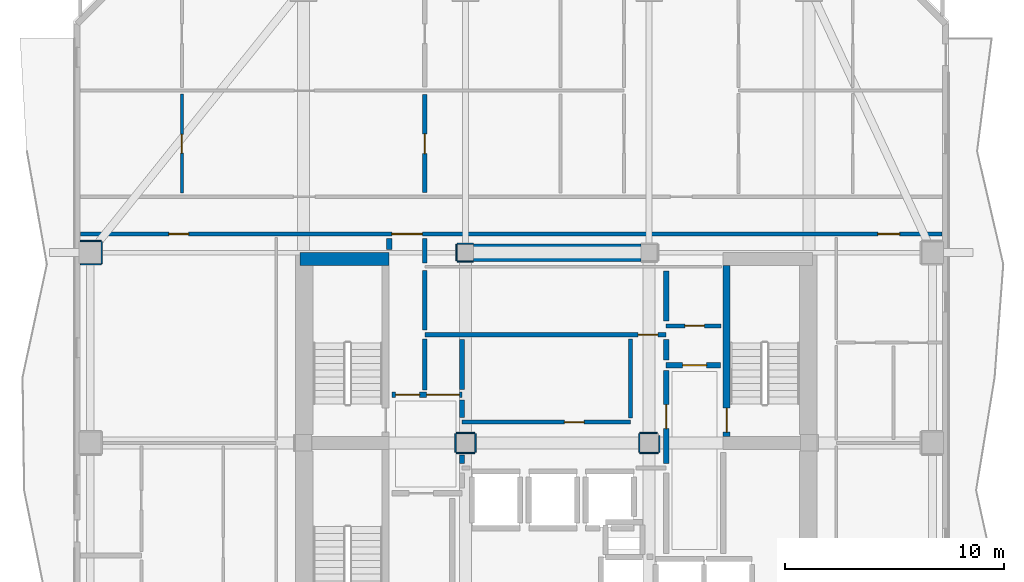
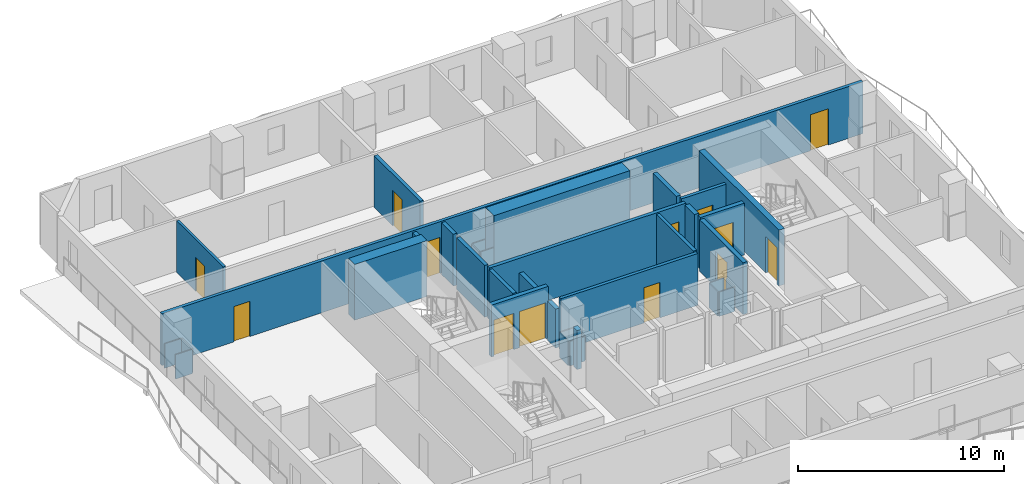
# One storey, part 4 of 11: 36 walls, 13 doors, 13 openings.
"""IFC4 building model written with IfcOpenShell, lengths in metres."""

from ifc_helpers import new_model, si_unit, direction, frame, frame_2d, origin, place, context, subcontext, project, spatial, rectangle, extrude, material, layer, layer_set, type_object, element, fill, save


model = new_model("IFC4")

# Units and contexts
model_context = context("Model", 3, precision=1e-05, world=origin(), true_north=direction((0.0, 1.0)))
body_context = subcontext(model_context, "Body", "Model", "MODEL_VIEW")
ifc_project = project(units=[si_unit("LENGTHUNIT", "METRE"), si_unit("AREAUNIT", "SQUARE_METRE"), si_unit("VOLUMEUNIT", "CUBIC_METRE"), si_unit("PLANEANGLEUNIT", "RADIAN"), si_unit("MASSUNIT", "GRAM", prefix="KILO")], contexts=[model_context])

# Site, building, storey
site_placement = place(None, origin())
site = spatial("IfcSite", under=ifc_project, at=site_placement, CompositionType="ELEMENT")
building_placement = place(site_placement, origin())
building = spatial("IfcBuilding", under=site, at=building_placement, Name="Solanera Arch Residences", CompositionType="ELEMENT")
storey_placement = place(building_placement, frame((0.0, 0.0, 180.199951171875)))
storey = spatial("IfcBuildingStorey", under=building, at=storey_placement, Name="L52", CompositionType="ELEMENT", Elevation=180.199951171875)

# Walls
ifc_material_1 = material(Name="Fire-Rated Gypsum Stud Partition", Category="gypsum")
ifc_layer_1 = layer(ifc_material_1, 0.06005859375)
ifc_layer_set_1 = layer_set([ifc_layer_1], Name="Fire-Rated Gypsum Stud Partition")
wall_type_1 = type_object("IfcWallType", Name="Column Acoustic Furring Wall 60", PredefinedType="PARTITIONING", material=ifc_layer_set_1)
for number, where, z_axis, x_axis, name in (
    (1, (20.425048828125, 38.992919921875, 0.0), (0.0, 0.0, 1.0), (1.0, 0.0, 0.0), "L52 Column Furring 3S"),
    (2, (20.425048828125, 39.806884765625, 0.0), (0.0, 0.0, 1.0), (1.0, 0.0, 0.0), "L52 Column Furring 3N"),
):
    element("IfcWall", number, at=place(storey_placement, frame(where, z_axis=z_axis, x_axis=x_axis)), inside=storey, type_object=wall_type_1, Name=name, PredefinedType="PARTITIONING", context=body_context, shape_type="SweptSolid", body=[
        extrude(rectangle(XDim=0.741943359375, YDim=0.06005859375, at=frame_2d((0.37109375, 0.0))), origin(), (0.0, 0.0, 1.0), 1.449951171875),
    ])
wall_1_placement = place(storey_placement, frame((20.39306640625, 39.02490234375, 0.0), z_axis=(0.0, 0.0, 1.0), x_axis=(0.0, 1.0, 0.0)))
element("IfcWall", 3, at=wall_1_placement, inside=storey, type_object=wall_type_1, Name="L52 Column Furring 3W", PredefinedType="PARTITIONING", context=body_context, shape_type="SweptSolid", body=[
    extrude(rectangle(XDim=0.75, YDim=0.06005859375, at=frame_2d((0.375, 0.0))), origin(), (0.0, 0.0, 1.0), 1.449951171875),
])
for number, where, z_axis, x_axis, name in (
    (4, (20.375, 30.242919921875, 0.0), (0.0, 0.0, 1.0), (1.0, 0.0, 0.0), "L52 Column Furring 7S"),
    (5, (20.375, 31.156982421875, 0.0), (0.0, 0.0, 1.0), (1.0, 0.0, 0.0), "L52 Column Furring 7N"),
    (6, (20.343017578125, 30.27490234375, 0.0), (0.0, 0.0, 1.0), (0.0, 1.0, 0.0), "L52 Column Furring 7W"),
    (7, (21.257080078125, 30.27490234375, 0.0), (0.0, 0.0, 1.0), (0.0, 1.0, 0.0), "L52 Column Furring 7E"),
    (8, (28.77490234375, 30.242919921875, 0.0), (0.0, 0.0, 1.0), (1.0, 0.0, 0.0), "L52 Column Furring 8S"),
):
    element("IfcWall", number, at=place(storey_placement, frame(where, z_axis=z_axis, x_axis=x_axis)), inside=storey, type_object=wall_type_1, Name=name, PredefinedType="PARTITIONING", context=body_context, shape_type="SweptSolid", body=[
        extrude(rectangle(XDim=0.85009765625, YDim=0.06005859375, at=frame_2d((0.425048828125, 0.0))), origin(), (0.0, 0.0, 1.0), 1.449951171875),
    ])
wall_2_placement = place(storey_placement, frame((28.77490234375, 31.156982421875, 0.0), z_axis=(0.0, 0.0, 1.0), x_axis=(1.0, 0.0, 0.0)))
element("IfcWall", 9, at=wall_2_placement, inside=storey, type_object=wall_type_1, Name="L52 Column Furring 8N", PredefinedType="PARTITIONING", context=body_context, shape_type="SweptSolid", body=[
    extrude(rectangle(XDim=0.794189453125, YDim=0.06005859375, at=frame_2d((0.39697265625, 0.0))), origin(), (0.0, 0.0, 1.0), 1.449951171875),
])
wall_3_placement = place(storey_placement, frame((28.742919921875, 30.27490234375, 0.0), z_axis=(0.0, 0.0, 1.0), x_axis=(0.0, 1.0, 0.0)))
element("IfcWall", 10, at=wall_3_placement, inside=storey, type_object=wall_type_1, Name="L52 Column Furring 8W", PredefinedType="PARTITIONING", context=body_context, shape_type="SweptSolid", body=[
    extrude(rectangle(XDim=0.85009765625, YDim=0.06005859375, at=frame_2d((0.425048828125, 0.0))), origin(), (0.0, 0.0, 1.0), 1.449951171875),
])
wall_4_placement = place(storey_placement, frame((29.656982421875, 30.27490234375, 0.0), z_axis=(0.0, 0.0, 1.0), x_axis=(0.0, 1.0, 0.0)))
element("IfcWall", 11, at=wall_4_placement, inside=storey, type_object=wall_type_1, Name="L52 Column Furring 8E", PredefinedType="PARTITIONING", context=body_context, shape_type="SweptSolid", body=[
    extrude(rectangle(XDim=0.757080078125, YDim=0.06005859375, at=frame_2d((0.37841796875, 0.0))), origin(), (0.0, 0.0, 1.0), 1.449951171875),
])
for number, where, z_axis, x_axis, name in (
    (12, (3.2099609375, 38.867919921875, 0.0), (0.0, 0.0, 1.0), (1.0, 0.0, 0.0), "L52 Column Furring 21S"),
    (13, (3.2099609375, 39.931884765625, 0.0), (0.0, 0.0, 1.0), (1.0, 0.0, 0.0), "L52 Column Furring 21N"),
):
    element("IfcWall", number, at=place(storey_placement, frame(where, z_axis=z_axis, x_axis=x_axis)), inside=storey, type_object=wall_type_1, Name=name, PredefinedType="PARTITIONING", context=body_context, shape_type="SweptSolid", body=[
        extrude(rectangle(XDim=0.93994140625, YDim=0.06005859375, at=frame_2d((0.469970703125, 0.0))), origin(), (0.0, 0.0, 1.0), 1.449951171875),
    ])
wall_5_placement = place(storey_placement, frame((4.181884765625, 38.89990234375, 0.0), z_axis=(0.0, 0.0, 1.0), x_axis=(0.0, 1.0, 0.0)))
element("IfcWall", 14, at=wall_5_placement, inside=storey, type_object=wall_type_1, Name="L52 Column Furring 21E", PredefinedType="PARTITIONING", context=body_context, shape_type="SweptSolid", body=[
    extrude(rectangle(XDim=1.0, YDim=0.06005859375, at=frame_2d((0.5, 0.0))), origin(), (0.0, 0.0, 1.0), 1.449951171875),
])

# Wall, opening, door
ifc_material_2 = material(Name="Concrete C40/50 (f'c = 45 MPa)", Category="concrete")
ifc_layer_2 = layer(ifc_material_2, 0.320068359375)
ifc_layer_set_2 = layer_set([ifc_layer_2], Name="Concrete C40/50 (f'c = 45 MPa)")
wall_type_2 = type_object("IfcWallType", Name="Core Shear Wall CW-320", PredefinedType="SHEAR", material=ifc_layer_set_2)
wall_6_placement = place(storey_placement, frame((32.739990234375, 31.0, 0.0), z_axis=(0.0, 0.0, 1.0), x_axis=(0.0, 1.0, 0.0)))
wall_6 = element("IfcWall", 15, at=wall_6_placement, inside=storey, type_object=wall_type_2, Name="L52 Stair ST-T2 West Shear Wall", PredefinedType="SHEAR", context=body_context, shape_type="SweptSolid", body=[
    extrude(rectangle(XDim=7.800048828125, YDim=0.320068359375, at=frame_2d((3.89990234375, 0.0))), origin(), (0.0, 0.0, 1.0), 3.320068359375),
])
opening_1_placement = place(wall_6_placement, frame((0.18994140625, 0.0, 0.0)))
opening_1 = element("IfcOpeningElement", 16, at=opening_1_placement, cuts=wall_6, Name="Opening DF-01", PredefinedType="OPENING", context=body_context, shape_type="SweptSolid", body=[
    extrude(rectangle(XDim=1.10009765625, YDim=2.14990234375, at=frame_2d((0.550048828125, 1.074951171875))), frame((0.0, 0.169921875, 0.0), z_axis=(0.0, -1.0, 0.0), x_axis=(1.0, 0.0, 0.0)), (0.0, 0.0, 1.0), 0.3401),
])
ifc_material_3 = material(Name="Fire-Rated Architectural Hardwood", Category="wood")
door_type_1 = type_object("IfcDoorType", Name="Stair Exit Fire Door DF-01", OperationType="NOTDEFINED", PredefinedType="DOOR", material=ifc_material_3)
door_1_placement = place(opening_1_placement, origin())
door_1 = element("IfcDoor", 17, at=door_1_placement, inside=storey, type_object=door_type_1, Name="DR-L52-STAIR-ST-T2", OperationType="SINGLE_SWING_RIGHT", OverallHeight=2.14990234375, OverallWidth=1.10009765625, PredefinedType="DOOR", context=body_context, shape_type="SweptSolid", body=[
    extrude(rectangle(XDim=1.10009765625, YDim=2.14990234375, at=frame_2d((0.550048828125, 1.074951171875))), frame((0.0, 0.02490234375, 0.0), z_axis=(0.0, -1.0, 0.0), x_axis=(1.0, 0.0, 0.0)), (0.0, 0.0, 1.0), 0.050048828125),
])
fill(opening_1, door_1)

# Walls
ifc_material_4 = material(Name="Concrete C40/50 (f'c = 45 MPa)", Category="concrete")
ifc_layer_3 = layer(ifc_material_4, 0.60009765625)
ifc_layer_set_3 = layer_set([ifc_layer_3], Name="Concrete C40/50 (f'c = 45 MPa)")
wall_type_3 = type_object("IfcWallType", Name="Core Shear Wall CW-600", PredefinedType="SHEAR", material=ifc_layer_set_3)
wall_7_placement = place(storey_placement, frame((13.239990234375, 39.10009765625, 0.0), z_axis=(0.0, 0.0, 1.0), x_axis=(1.0, 0.0, 0.0)))
element("IfcWall", 18, at=wall_7_placement, inside=storey, type_object=wall_type_3, Name="L52 North-West Core Shear Wall", PredefinedType="SHEAR", context=body_context, shape_type="SweptSolid", body=[
    extrude(rectangle(XDim=4.080078125, YDim=0.60009765625, at=frame_2d((2.0400390625, 0.0))), origin(), (0.0, 0.0, 1.0), 3.320068359375),
])
ifc_material_5 = material(Name="Concrete C40/50 (f'c = 45 MPa)", Category="concrete")
ifc_layer_4 = layer(ifc_material_5, 0.800048828125)
ifc_layer_set_4 = layer_set([ifc_layer_4], Name="Concrete C40/50 (f'c = 45 MPa)")
wall_type_4 = type_object("IfcWallType", Name="Core Shear Wall CW-800", PredefinedType="SHEAR", material=ifc_layer_set_4)
wall_8_placement = place(storey_placement, frame((21.179931640625, 39.39990234375, 0.0), z_axis=(0.0, 0.0, 1.0), x_axis=(1.0, 0.0, 0.0)))
element("IfcWall", 19, at=wall_8_placement, inside=storey, type_object=wall_type_4, Name="L52 Central North Core Shear Wall", PredefinedType="SHEAR", context=body_context, shape_type="SweptSolid", body=[
    extrude(rectangle(XDim=7.64013671875, YDim=0.800048828125, at=frame_2d((3.820068359375, 0.0))), origin(), (0.0, 0.0, 1.0), 3.320068359375),
])

# Wall, opening, door
ifc_material_6 = material(Name="Autoclaved Aerated Concrete Blockwork", Category="masonry")
ifc_layer_5 = layer(ifc_material_6, 0.179931640625)
ifc_layer_set_5 = layer_set([ifc_layer_5], Name="Autoclaved Aerated Concrete Blockwork")
wall_type_5 = type_object("IfcWallType", Name="Corridor Fire Partition 180", PredefinedType="PARTITIONING", material=ifc_layer_set_5)
wall_9_placement = place(storey_placement, frame((20.64990234375, 31.64990234375, 0.0), z_axis=(0.0, 0.0, 1.0), x_axis=(1.0, 0.0, 0.0)))
wall_9 = element("IfcWall", 20, at=wall_9_placement, inside=storey, type_object=wall_type_5, Name="L52 Interior Partition H10", PredefinedType="PARTITIONING", context=body_context, shape_type="SweptSolid", body=[
    extrude(rectangle(XDim=7.7001953125, YDim=0.179931640625, at=frame_2d((3.85009765625, 0.0))), origin(), (0.0, 0.0, 1.0), 3.080078125),
])
opening_2_placement = place(wall_9_placement, frame((4.673095703125, 0.0, 0.0)))
opening_2 = element("IfcOpeningElement", 21, at=opening_2_placement, cuts=wall_9, Name="Opening DI-02", PredefinedType="OPENING", context=body_context, shape_type="SweptSolid", body=[
    extrude(rectangle(XDim=0.89990234375, YDim=2.10009765625, at=frame_2d((0.449951171875, 1.050048828125))), frame((0.0, 0.10009765625, 0.0), z_axis=(0.0, -1.0, 0.0), x_axis=(1.0, 0.0, 0.0)), (0.0, 0.0, 1.0), 0.1999),
])
ifc_material_7 = material(Name="Fire-Rated Architectural Hardwood", Category="wood")
door_type_2 = type_object("IfcDoorType", Name="Suite Room Swing Door DI-02", OperationType="NOTDEFINED", PredefinedType="DOOR", material=ifc_material_7)
door_2_placement = place(opening_2_placement, origin())
door_2 = element("IfcDoor", 22, at=door_2_placement, inside=storey, type_object=door_type_2, Name="DR-L52-IN-013", OperationType="SINGLE_SWING_LEFT", OverallHeight=2.10009765625, OverallWidth=0.89990234375, PredefinedType="DOOR", context=body_context, shape_type="SweptSolid", body=[
    extrude(rectangle(XDim=0.89990234375, YDim=2.10009765625, at=frame_2d((0.449951171875, 1.050048828125))), frame((0.0, 0.02490234375, 0.0), z_axis=(0.0, -1.0, 0.0), x_axis=(1.0, 0.0, 0.0)), (0.0, 0.0, 1.0), 0.050048828125),
])
fill(opening_2, door_2)

wall_10_placement = place(storey_placement, frame((29.97509765625, 36.050048828125, 0.0), z_axis=(0.0, 0.0, 1.0), x_axis=(1.0, 0.0, 0.0)))
wall_10 = element("IfcWall", 23, at=wall_10_placement, inside=storey, type_object=wall_type_5, Name="L52 Interior Partition H11", PredefinedType="PARTITIONING", context=body_context, shape_type="SweptSolid", body=[
    extrude(rectangle(XDim=2.5048828125, YDim=0.179931640625, at=frame_2d((1.25244140625, 0.0))), origin(), (0.0, 0.0, 1.0), 3.080078125),
])
opening_3_placement = place(wall_10_placement, frame((0.85205078125, 0.0, 0.0)))
opening_3 = element("IfcOpeningElement", 24, at=opening_3_placement, cuts=wall_10, Name="Opening DI-02", PredefinedType="OPENING", context=body_context, shape_type="SweptSolid", body=[
    extrude(rectangle(XDim=0.89990234375, YDim=2.10009765625, at=frame_2d((0.449951171875, 1.050048828125))), frame((0.0, 0.10009765625, 0.0), z_axis=(0.0, -1.0, 0.0), x_axis=(1.0, 0.0, 0.0)), (0.0, 0.0, 1.0), 0.1999),
])
door_3_placement = place(opening_3_placement, origin())
door_3 = element("IfcDoor", 25, at=door_3_placement, inside=storey, type_object=door_type_2, Name="DR-L52-IN-011", OperationType="SINGLE_SWING_LEFT", OverallHeight=2.10009765625, OverallWidth=0.89990234375, PredefinedType="DOOR", context=body_context, shape_type="SweptSolid", body=[
    extrude(rectangle(XDim=0.89990234375, YDim=2.10009765625, at=frame_2d((0.449951171875, 1.050048828125))), frame((0.0, 0.02490234375, 0.0), z_axis=(0.0, -1.0, 0.0), x_axis=(1.0, 0.0, 0.0)), (0.0, 0.0, 1.0), 0.050048828125),
])
fill(opening_3, door_3)

# Wall, openings, doors
wall_11_placement = place(storey_placement, frame((3.20703125, 40.25, 0.0), z_axis=(0.0, 0.0, 1.0), x_axis=(1.0, 0.0, 0.0)))
wall_11 = element("IfcWall", 26, at=wall_11_placement, inside=storey, type_object=wall_type_5, Name="L52 Interior Partition H12", PredefinedType="PARTITIONING", context=body_context, shape_type="SweptSolid", body=[
    extrude(rectangle(XDim=39.385986328125, YDim=0.179931640625, at=frame_2d((19.69287109375, 0.0))), origin(), (0.0, 0.0, 1.0), 3.080078125),
])
opening_4_placement = place(wall_11_placement, frame((14.22802734375, 0.0, 0.0)))
opening_4 = element("IfcOpeningElement", 27, at=opening_4_placement, cuts=wall_11, Name="Opening DF-03", PredefinedType="OPENING", context=body_context, shape_type="SweptSolid", body=[
    extrude(rectangle(XDim=1.39990234375, YDim=2.14990234375, at=frame_2d((0.699951171875, 1.074951171875))), frame((0.0, 0.10009765625, 0.0), z_axis=(0.0, -1.0, 0.0), x_axis=(1.0, 0.0, 0.0)), (0.0, 0.0, 1.0), 0.1999),
])
opening_5_placement = place(wall_11_placement, frame((4.0419921875, 0.0, 0.0)))
opening_5 = element("IfcOpeningElement", 28, at=opening_5_placement, cuts=wall_11, Name="Opening DI-02", PredefinedType="OPENING", context=body_context, shape_type="SweptSolid", body=[
    extrude(rectangle(XDim=0.89990234375, YDim=2.10009765625, at=frame_2d((0.449951171875, 1.050048828125))), frame((0.0, 0.10009765625, 0.0), z_axis=(0.0, -1.0, 0.0), x_axis=(1.0, 0.0, 0.0)), (0.0, 0.0, 1.0), 0.1999),
])
opening_6_placement = place(wall_11_placement, frame((36.444091796875, 0.0, 0.0)))
opening_6 = element("IfcOpeningElement", 29, at=opening_6_placement, cuts=wall_11, Name="Opening DI-01", PredefinedType="OPENING", context=body_context, shape_type="SweptSolid", body=[
    extrude(rectangle(XDim=1.0, YDim=2.14990234375, at=frame_2d((0.5, 1.074951171875))), frame((0.0, 0.10009765625, 0.0), z_axis=(0.0, -1.0, 0.0), x_axis=(1.0, 0.0, 0.0)), (0.0, 0.0, 1.0), 0.1999),
])
ifc_material_8 = material(Name="Fire-Rated Architectural Hardwood", Category="wood")
door_type_3 = type_object("IfcDoorType", Name="Corridor Smoke Door DF-03", OperationType="NOTDEFINED", PredefinedType="DOOR", material=ifc_material_8)
door_4_placement = place(opening_4_placement, origin())
door_4 = element("IfcDoor", 30, at=door_4_placement, inside=storey, type_object=door_type_3, Name="DR-L52-IN-009", OperationType="SINGLE_SWING_LEFT", OverallHeight=2.14990234375, OverallWidth=1.39990234375, PredefinedType="DOOR", context=body_context, shape_type="SweptSolid", body=[
    extrude(rectangle(XDim=1.39990234375, YDim=2.14990234375, at=frame_2d((0.699951171875, 1.074951171875))), frame((0.0, 0.02490234375, 0.0), z_axis=(0.0, -1.0, 0.0), x_axis=(1.0, 0.0, 0.0)), (0.0, 0.0, 1.0), 0.050048828125),
])
fill(opening_4, door_4)
door_5_placement = place(opening_5_placement, origin())
door_5 = element("IfcDoor", 31, at=door_5_placement, inside=storey, type_object=door_type_2, Name="DR-L52-IN-037", OperationType="SINGLE_SWING_LEFT", OverallHeight=2.10009765625, OverallWidth=0.89990234375, PredefinedType="DOOR", context=body_context, shape_type="SweptSolid", body=[
    extrude(rectangle(XDim=0.89990234375, YDim=2.10009765625, at=frame_2d((0.449951171875, 1.050048828125))), frame((0.0, 0.02490234375, 0.0), z_axis=(0.0, -1.0, 0.0), x_axis=(1.0, 0.0, 0.0)), (0.0, 0.0, 1.0), 0.050048828125),
])
fill(opening_5, door_5)
ifc_material_9 = material(Name="Fire-Rated Architectural Hardwood", Category="wood")
door_type_4 = type_object("IfcDoorType", Name="Unit Entrance Fire Door DI-01", OperationType="NOTDEFINED", PredefinedType="DOOR", material=ifc_material_9)
door_6_placement = place(opening_6_placement, origin())
door_6 = element("IfcDoor", 32, at=door_6_placement, inside=storey, type_object=door_type_4, Name="DR-L52-IN-039", OperationType="SINGLE_SWING_LEFT", OverallHeight=2.14990234375, OverallWidth=1.0, PredefinedType="DOOR", context=body_context, shape_type="SweptSolid", body=[
    extrude(rectangle(XDim=1.0, YDim=2.14990234375, at=frame_2d((0.5, 1.074951171875))), frame((0.0, 0.02490234375, 0.0), z_axis=(0.0, -1.0, 0.0), x_axis=(1.0, 0.0, 0.0)), (0.0, 0.0, 1.0), 0.050048828125),
])
fill(opening_6, door_6)

# Wall
wall_12_placement = place(storey_placement, frame((28.35009765625, 31.837890625, 0.0), z_axis=(0.0, 0.0, 1.0), x_axis=(0.0, 1.0, 0.0)))
element("IfcWall", 33, at=wall_12_placement, inside=storey, type_object=wall_type_5, Name="L52 Interior Partition V9", PredefinedType="PARTITIONING", context=body_context, shape_type="SweptSolid", body=[
    extrude(rectangle(XDim=3.614013671875, YDim=0.179931640625, at=frame_2d((1.80712890625, 0.0))), origin(), (0.0, 0.0, 1.0), 3.080078125),
])

# Wall, opening, door
ifc_material_10 = material(Name="Autoclaved Aerated Concrete Blockwork", Category="masonry")
ifc_layer_6 = layer(ifc_material_10, 0.199951171875)
ifc_layer_set_6 = layer_set([ifc_layer_6], Name="Autoclaved Aerated Concrete Blockwork")
wall_type_6 = type_object("IfcWallType", Name="Party Wall Acoustic 200", PredefinedType="PARTITIONING", material=ifc_layer_set_6)
wall_13_placement = place(storey_placement, frame((18.949951171875, 35.64990234375, 0.0), z_axis=(0.0, 0.0, 1.0), x_axis=(1.0, 0.0, 0.0)))
wall_13 = element("IfcWall", 34, at=wall_13_placement, inside=storey, type_object=wall_type_6, Name="L52 Interior Partition H7", PredefinedType="PARTITIONING", context=body_context, shape_type="SweptSolid", body=[
    extrude(rectangle(XDim=11.025146484375, YDim=0.199951171875, at=frame_2d((5.5126953125, 0.0))), origin(), (0.0, 0.0, 1.0), 3.080078125),
])
opening_7_placement = place(wall_13_placement, frame((9.7490234375, 0.0, 0.0)))
opening_7 = element("IfcOpeningElement", 35, at=opening_7_placement, cuts=wall_13, Name="Opening DI-02", PredefinedType="OPENING", context=body_context, shape_type="SweptSolid", body=[
    extrude(rectangle(XDim=0.89990234375, YDim=2.10009765625, at=frame_2d((0.449951171875, 1.050048828125))), frame((0.0, 0.110107421875, 0.0), z_axis=(0.0, -1.0, 0.0), x_axis=(1.0, 0.0, 0.0)), (0.0, 0.0, 1.0), 0.22),
])
door_7_placement = place(opening_7_placement, origin())
door_7 = element("IfcDoor", 36, at=door_7_placement, inside=storey, type_object=door_type_2, Name="DR-L52-IN-012", OperationType="SINGLE_SWING_RIGHT", OverallHeight=2.10009765625, OverallWidth=0.89990234375, PredefinedType="DOOR", context=body_context, shape_type="SweptSolid", body=[
    extrude(rectangle(XDim=0.89990234375, YDim=2.10009765625, at=frame_2d((0.449951171875, 1.050048828125))), frame((0.0, 0.02490234375, 0.0), z_axis=(0.0, -1.0, 0.0), x_axis=(1.0, 0.0, 0.0)), (0.0, 0.0, 1.0), 0.050048828125),
])
fill(opening_7, door_7)

# Walls
wall_14_placement = place(storey_placement, frame((18.949951171875, 33.1279296875, 0.0), z_axis=(0.0, 0.0, 1.0), x_axis=(0.0, 1.0, 0.0)))
element("IfcWall", 37, at=wall_14_placement, inside=storey, type_object=wall_type_6, Name="L52 Interior Partition V6 1", PredefinedType="PARTITIONING", context=body_context, shape_type="SweptSolid", body=[
    extrude(rectangle(XDim=2.31396484375, YDim=0.199951171875, at=frame_2d((1.156982421875, 0.0))), origin(), (0.0, 0.0, 1.0), 3.080078125),
])
wall_15_placement = place(storey_placement, frame((18.949951171875, 35.85791015625, 0.0), z_axis=(0.0, 0.0, 1.0), x_axis=(0.0, 1.0, 0.0)))
element("IfcWall", 38, at=wall_15_placement, inside=storey, type_object=wall_type_6, Name="L52 Interior Partition V6 2", PredefinedType="PARTITIONING", context=body_context, shape_type="SweptSolid", body=[
    extrude(rectangle(XDim=2.72412109375, YDim=0.199951171875, at=frame_2d((1.362060546875, 0.0))), origin(), (0.0, 0.0, 1.0), 3.080078125),
])
wall_16_placement = place(storey_placement, frame((18.949951171875, 38.91796875, 0.0), z_axis=(0.0, 0.0, 1.0), x_axis=(0.0, 1.0, 0.0)))
element("IfcWall", 39, at=wall_16_placement, inside=storey, type_object=wall_type_6, Name="L52 Interior Partition V6 3", PredefinedType="PARTITIONING", context=body_context, shape_type="SweptSolid", body=[
    extrude(rectangle(XDim=1.134033203125, YDim=0.199951171875, at=frame_2d((0.56689453125, 0.0))), origin(), (0.0, 0.0, 1.0), 3.080078125),
])

# Wall, opening, door
wall_17_placement = place(storey_placement, frame((18.949951171875, 42.14794921875, 0.0), z_axis=(0.0, 0.0, 1.0), x_axis=(0.0, 1.0, 0.0)))
wall_17 = element("IfcWall", 40, at=wall_17_placement, inside=storey, type_object=wall_type_6, Name="L52 Interior Partition V7 1", PredefinedType="PARTITIONING", context=body_context, shape_type="SweptSolid", body=[
    extrude(rectangle(XDim=4.47412109375, YDim=0.199951171875, at=frame_2d((2.237060546875, 0.0))), origin(), (0.0, 0.0, 1.0), 3.080078125),
])
opening_8_placement = place(wall_17_placement, frame((1.777099609375, 0.0, 0.0)))
opening_8 = element("IfcOpeningElement", 41, at=opening_8_placement, cuts=wall_17, Name="Opening DI-02", PredefinedType="OPENING", context=body_context, shape_type="SweptSolid", body=[
    extrude(rectangle(XDim=0.89990234375, YDim=2.10009765625, at=frame_2d((0.449951171875, 1.050048828125))), frame((0.0, 0.110107421875, 0.0), z_axis=(0.0, -1.0, 0.0), x_axis=(1.0, 0.0, 0.0)), (0.0, 0.0, 1.0), 0.22),
])
door_8_placement = place(opening_8_placement, origin())
door_8 = element("IfcDoor", 42, at=door_8_placement, inside=storey, type_object=door_type_2, Name="DR-L52-IN-024", OperationType="SINGLE_SWING_RIGHT", OverallHeight=2.10009765625, OverallWidth=0.89990234375, PredefinedType="DOOR", context=body_context, shape_type="SweptSolid", body=[
    extrude(rectangle(XDim=0.89990234375, YDim=2.10009765625, at=frame_2d((0.449951171875, 1.050048828125))), frame((0.0, 0.02490234375, 0.0), z_axis=(0.0, -1.0, 0.0), x_axis=(1.0, 0.0, 0.0)), (0.0, 0.0, 1.0), 0.050048828125),
])
fill(opening_8, door_8)

# Wall, openings, doors
ifc_material_11 = material(Name="Autoclaved Aerated Concrete Blockwork", Category="masonry")
ifc_layer_7 = layer(ifc_material_11, 0.239990234375)
ifc_layer_set_7 = layer_set([ifc_layer_7], Name="Autoclaved Aerated Concrete Blockwork")
wall_type_7 = type_object("IfcWallType", Name="Shaft Wall Fire-Rated 240", PredefinedType="PARTITIONING", material=ifc_layer_set_7)
wall_18_placement = place(storey_placement, frame((17.449951171875, 32.89990234375, 0.0), z_axis=(0.0, 0.0, 1.0), x_axis=(1.0, 0.0, 0.0)))
wall_18 = element("IfcWall", 43, at=wall_18_placement, inside=storey, type_object=wall_type_7, Name="L52 Interior Partition H5", PredefinedType="PARTITIONING", context=body_context, shape_type="SweptSolid", body=[
    extrude(rectangle(XDim=3.199951171875, YDim=0.239990234375, at=frame_2d((1.60009765625, 0.0))), origin(), (0.0, 0.0, 1.0), 3.080078125),
])
opening_9_placement = place(wall_18_placement, frame((0.158935546875, 0.0, 0.0)))
opening_9 = element("IfcOpeningElement", 44, at=opening_9_placement, cuts=wall_18, Name="Opening DF-02", PredefinedType="OPENING", context=body_context, shape_type="SweptSolid", body=[
    extrude(rectangle(XDim=1.10009765625, YDim=2.14990234375, at=frame_2d((0.550048828125, 1.074951171875))), frame((0.0, 0.1298828125, 0.0), z_axis=(0.0, -1.0, 0.0), x_axis=(1.0, 0.0, 0.0)), (0.0, 0.0, 1.0), 0.26),
])
opening_10_placement = place(wall_18_placement, frame((1.575927734375, 0.0, 0.0)))
opening_10 = element("IfcOpeningElement", 45, at=opening_10_placement, cuts=wall_18, Name="Opening DP-01", PredefinedType="OPENING", context=body_context, shape_type="SweptSolid", body=[
    extrude(rectangle(XDim=1.5, YDim=2.14990234375, at=frame_2d((0.75, 1.074951171875))), frame((0.0, 0.1298828125, 0.0), z_axis=(0.0, -1.0, 0.0), x_axis=(1.0, 0.0, 0.0)), (0.0, 0.0, 1.0), 0.26),
])
ifc_material_12 = material(Name="Fire-Rated Architectural Hardwood", Category="wood")
door_type_5 = type_object("IfcDoorType", Name="Firefighting Lobby Fire Door DF-02", OperationType="NOTDEFINED", PredefinedType="DOOR", material=ifc_material_12)
door_9_placement = place(opening_9_placement, origin())
door_9 = element("IfcDoor", 46, at=door_9_placement, inside=storey, type_object=door_type_5, Name="DR-L52-IN-005", OperationType="SINGLE_SWING_LEFT", OverallHeight=2.14990234375, OverallWidth=1.10009765625, PredefinedType="DOOR", context=body_context, shape_type="SweptSolid", body=[
    extrude(rectangle(XDim=1.10009765625, YDim=2.14990234375, at=frame_2d((0.550048828125, 1.074951171875))), frame((0.0, 0.02490234375, 0.0), z_axis=(0.0, -1.0, 0.0), x_axis=(1.0, 0.0, 0.0)), (0.0, 0.0, 1.0), 0.050048828125),
])
fill(opening_9, door_9)
ifc_material_13 = material(Name="Fire-Rated Architectural Hardwood", Category="wood")
door_type_6 = type_object("IfcDoorType", Name="Plant Double Fire Door DP-01", OperationType="NOTDEFINED", PredefinedType="DOOR", material=ifc_material_13)
door_10_placement = place(opening_10_placement, origin())
door_10 = element("IfcDoor", 47, at=door_10_placement, inside=storey, type_object=door_type_6, Name="DR-L52-IN-010", OperationType="SINGLE_SWING_RIGHT", OverallHeight=2.14990234375, OverallWidth=1.5, PredefinedType="DOOR", context=body_context, shape_type="SweptSolid", body=[
    extrude(rectangle(XDim=1.5, YDim=2.14990234375, at=frame_2d((0.75, 1.074951171875))), frame((0.0, 0.02490234375, 0.0), z_axis=(0.0, -1.0, 0.0), x_axis=(1.0, 0.0, 0.0)), (0.0, 0.0, 1.0), 0.050048828125),
])
fill(opening_10, door_10)

# Wall, opening, door
wall_19_placement = place(storey_placement, frame((29.97509765625, 34.25, 0.0), z_axis=(0.0, 0.0, 1.0), x_axis=(1.0, 0.0, 0.0)))
wall_19 = element("IfcWall", 48, at=wall_19_placement, inside=storey, type_object=wall_type_7, Name="L52 Interior Partition H6", PredefinedType="PARTITIONING", context=body_context, shape_type="SweptSolid", body=[
    extrude(rectangle(XDim=2.474853515625, YDim=0.239990234375, at=frame_2d((1.2373046875, 0.0))), origin(), (0.0, 0.0, 1.0), 3.080078125),
])
opening_11_placement = place(wall_19_placement, frame((0.751953125, 0.0, 0.0)))
opening_11 = element("IfcOpeningElement", 49, at=opening_11_placement, cuts=wall_19, Name="Opening DF-02", PredefinedType="OPENING", context=body_context, shape_type="SweptSolid", body=[
    extrude(rectangle(XDim=1.10009765625, YDim=2.14990234375, at=frame_2d((0.550048828125, 1.074951171875))), frame((0.0, 0.1298828125, 0.0), z_axis=(0.0, -1.0, 0.0), x_axis=(1.0, 0.0, 0.0)), (0.0, 0.0, 1.0), 0.26),
])
door_11_placement = place(opening_11_placement, origin())
door_11 = element("IfcDoor", 50, at=door_11_placement, inside=storey, type_object=door_type_5, Name="DR-L52-IN-007", OperationType="SINGLE_SWING_LEFT", OverallHeight=2.14990234375, OverallWidth=1.10009765625, PredefinedType="DOOR", context=body_context, shape_type="SweptSolid", body=[
    extrude(rectangle(XDim=1.10009765625, YDim=2.14990234375, at=frame_2d((0.550048828125, 1.074951171875))), frame((0.0, 0.02490234375, 0.0), z_axis=(0.0, -1.0, 0.0), x_axis=(1.0, 0.0, 0.0)), (0.0, 0.0, 1.0), 0.050048828125),
])
fill(opening_11, door_11)

# Walls
wall_20_placement = place(storey_placement, frame((17.320068359375, 39.530029296875, 0.0), z_axis=(0.0, 0.0, 1.0), x_axis=(0.0, 1.0, 0.0)))
element("IfcWall", 51, at=wall_20_placement, inside=storey, type_object=wall_type_7, Name="L52 Interior Partition V1", PredefinedType="PARTITIONING", context=body_context, shape_type="SweptSolid", body=[
    extrude(rectangle(XDim=0.501953125, YDim=0.239990234375, at=frame_2d((0.2509765625, 0.0))), origin(), (0.0, 0.0, 1.0), 3.080078125),
])
wall_21_placement = place(storey_placement, frame((20.64990234375, 29.76806640625, 0.0), z_axis=(0.0, 0.0, 1.0), x_axis=(0.0, 1.0, 0.0)))
element("IfcWall", 52, at=wall_21_placement, inside=storey, type_object=wall_type_7, Name="L52 Interior Partition V3 2", PredefinedType="PARTITIONING", context=body_context, shape_type="SweptSolid", body=[
    extrude(rectangle(XDim=0.375, YDim=0.239990234375, at=frame_2d((0.1875, 0.0))), origin(), (0.0, 0.0, 1.0), 2.31494140625),
])
wall_22_placement = place(storey_placement, frame((20.64990234375, 31.867919921875, 0.0), z_axis=(0.0, 0.0, 1.0), x_axis=(0.0, 1.0, 0.0)))
element("IfcWall", 53, at=wall_22_placement, inside=storey, type_object=wall_type_7, Name="L52 Interior Partition V3 3", PredefinedType="PARTITIONING", context=body_context, shape_type="SweptSolid", body=[
    extrude(rectangle(XDim=0.7841796875, YDim=0.239990234375, at=frame_2d((0.39208984375, 0.0))), origin(), (0.0, 0.0, 1.0), 2.31494140625),
])
wall_23_placement = place(storey_placement, frame((20.64990234375, 33.14794921875, 0.0), z_axis=(0.0, 0.0, 1.0), x_axis=(0.0, 1.0, 0.0)))
element("IfcWall", 54, at=wall_23_placement, inside=storey, type_object=wall_type_7, Name="L52 Interior Partition V3 4", PredefinedType="PARTITIONING", context=body_context, shape_type="SweptSolid", body=[
    extrude(rectangle(XDim=2.274169921875, YDim=0.239990234375, at=frame_2d((1.13720703125, 0.0))), origin(), (0.0, 0.0, 1.0), 2.31494140625),
])

# Wall, opening, door
wall_24_placement = place(storey_placement, frame((29.97509765625, 29.76806640625, 0.0), z_axis=(0.0, 0.0, 1.0), x_axis=(0.0, 1.0, 0.0)))
wall_24 = element("IfcWall", 55, at=wall_24_placement, inside=storey, type_object=wall_type_7, Name="L52 Interior Partition V4 2", PredefinedType="PARTITIONING", context=body_context, shape_type="SweptSolid", body=[
    extrude(rectangle(XDim=4.23388671875, YDim=0.239990234375, at=frame_2d((2.116943359375, 0.0))), origin(), (0.0, 0.0, 1.0), 3.080078125),
])
opening_12_placement = place(wall_24_placement, frame((1.58203125, 0.0, 0.0)))
opening_12 = element("IfcOpeningElement", 56, at=opening_12_placement, cuts=wall_24, Name="Opening DF-02", PredefinedType="OPENING", context=body_context, shape_type="SweptSolid", body=[
    extrude(rectangle(XDim=1.10009765625, YDim=2.14990234375, at=frame_2d((0.550048828125, 1.074951171875))), frame((0.0, 0.1298828125, 0.0), z_axis=(0.0, -1.0, 0.0), x_axis=(1.0, 0.0, 0.0)), (0.0, 0.0, 1.0), 0.26),
])
door_12_placement = place(opening_12_placement, origin())
door_12 = element("IfcDoor", 57, at=door_12_placement, inside=storey, type_object=door_type_5, Name="DR-L52-IN-006", OperationType="SINGLE_SWING_RIGHT", OverallHeight=2.14990234375, OverallWidth=1.10009765625, PredefinedType="DOOR", context=body_context, shape_type="SweptSolid", body=[
    extrude(rectangle(XDim=1.10009765625, YDim=2.14990234375, at=frame_2d((0.550048828125, 1.074951171875))), frame((0.0, 0.02490234375, 0.0), z_axis=(0.0, -1.0, 0.0), x_axis=(1.0, 0.0, 0.0)), (0.0, 0.0, 1.0), 0.050048828125),
])
fill(opening_12, door_12)

# Walls
wall_25_placement = place(storey_placement, frame((29.97509765625, 34.498046875, 0.0), z_axis=(0.0, 0.0, 1.0), x_axis=(0.0, 1.0, 0.0)))
element("IfcWall", 58, at=wall_25_placement, inside=storey, type_object=wall_type_7, Name="L52 Interior Partition V4 3", PredefinedType="PARTITIONING", context=body_context, shape_type="SweptSolid", body=[
    extrude(rectangle(XDim=0.924072265625, YDim=0.239990234375, at=frame_2d((0.4619140625, 0.0))), origin(), (0.0, 0.0, 1.0), 3.080078125),
])
wall_26_placement = place(storey_placement, frame((29.97509765625, 36.26806640625, 0.0), z_axis=(0.0, 0.0, 1.0), x_axis=(0.0, 1.0, 0.0)))
element("IfcWall", 59, at=wall_26_placement, inside=storey, type_object=wall_type_7, Name="L52 Interior Partition V4 4", PredefinedType="PARTITIONING", context=body_context, shape_type="SweptSolid", body=[
    extrude(rectangle(XDim=2.2939453125, YDim=0.239990234375, at=frame_2d((1.14697265625, 0.0))), origin(), (0.0, 0.0, 1.0), 3.080078125),
])

# Wall, opening, door
ifc_material_14 = material(Name="Autoclaved Aerated Concrete Blockwork", Category="masonry")
ifc_layer_8 = layer(ifc_material_14, 0.139892578125)
ifc_layer_set_8 = layer_set([ifc_layer_8], Name="Autoclaved Aerated Concrete Blockwork")
wall_type_8 = type_object("IfcWallType", Name="Wet-Room Partition 140", PredefinedType="PARTITIONING", material=ifc_layer_set_8)
wall_27_placement = place(storey_placement, frame((7.843994140625, 42.117919921875, 0.0), z_axis=(0.0, 0.0, 1.0), x_axis=(0.0, 1.0, 0.0)))
wall_27 = element("IfcWall", 60, at=wall_27_placement, inside=storey, type_object=wall_type_8, Name="L52 Interior Partition V13 1", PredefinedType="PARTITIONING", context=body_context, shape_type="SweptSolid", body=[
    extrude(rectangle(XDim=4.5341796875, YDim=0.139892578125, at=frame_2d((2.26708984375, 0.0))), origin(), (0.0, 0.0, 1.0), 3.080078125),
])
opening_13_placement = place(wall_27_placement, frame((1.826904296875, 0.0, 0.0)))
opening_13 = element("IfcOpeningElement", 61, at=opening_13_placement, cuts=wall_27, Name="Opening DI-05", PredefinedType="OPENING", context=body_context, shape_type="SweptSolid", body=[
    extrude(rectangle(XDim=0.860107421875, YDim=2.02001953125, at=frame_2d((0.43017578125, 1.010009765625))), frame((0.0, 0.079833984375, 0.0), z_axis=(0.0, -1.0, 0.0), x_axis=(1.0, 0.0, 0.0)), (0.0, 0.0, 1.0), 0.1599),
])
ifc_material_15 = material(Name="Fire-Rated Architectural Hardwood", Category="wood")
door_type_7 = type_object("IfcDoorType", Name="Bathroom Swing Door DI-05", OperationType="NOTDEFINED", PredefinedType="DOOR", material=ifc_material_15)
door_13_placement = place(opening_13_placement, origin())
door_13 = element("IfcDoor", 62, at=door_13_placement, inside=storey, type_object=door_type_7, Name="DR-L52-IN-022", OperationType="SINGLE_SWING_RIGHT", OverallHeight=2.02001953125, OverallWidth=0.860107421875, PredefinedType="DOOR", context=body_context, shape_type="SweptSolid", body=[
    extrude(rectangle(XDim=0.860107421875, YDim=2.02001953125, at=frame_2d((0.43017578125, 1.010009765625))), frame((0.0, 0.02490234375, 0.0), z_axis=(0.0, -1.0, 0.0), x_axis=(1.0, 0.0, 0.0)), (0.0, 0.0, 1.0), 0.050048828125),
])
fill(opening_13, door_13)

save(model, "model.ifc")
